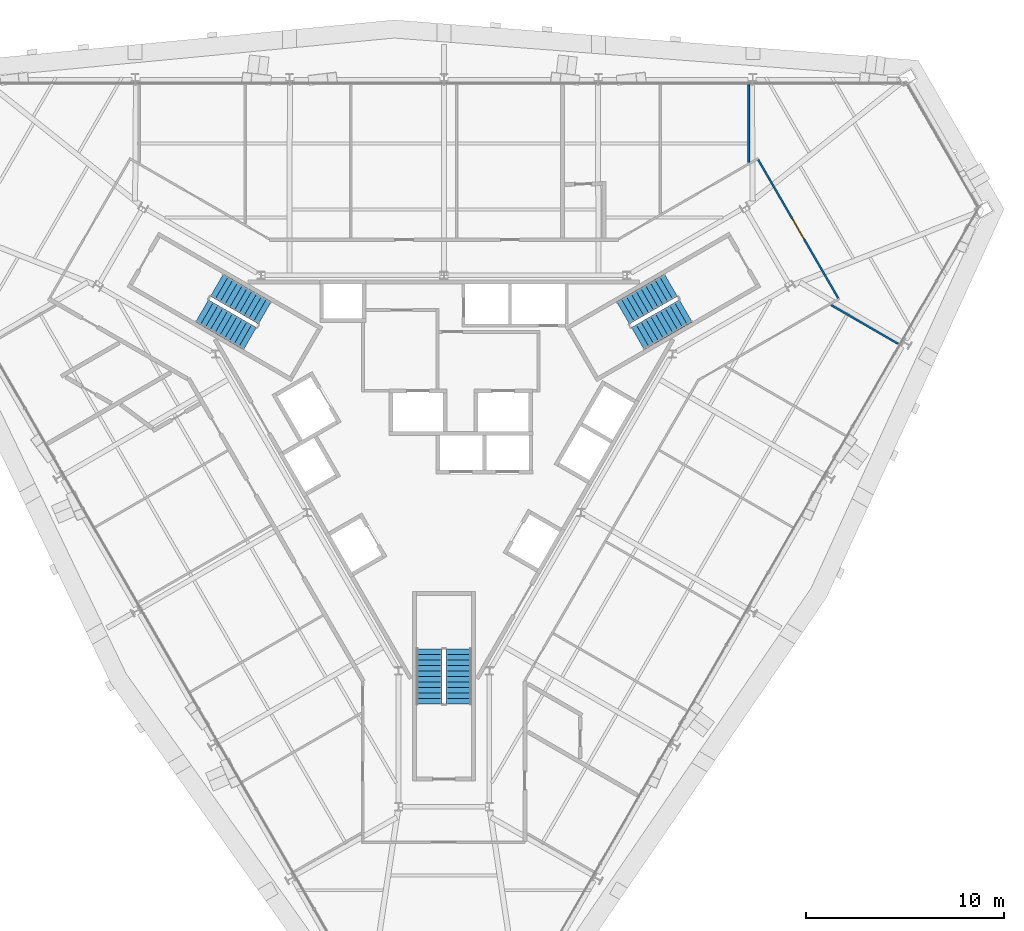
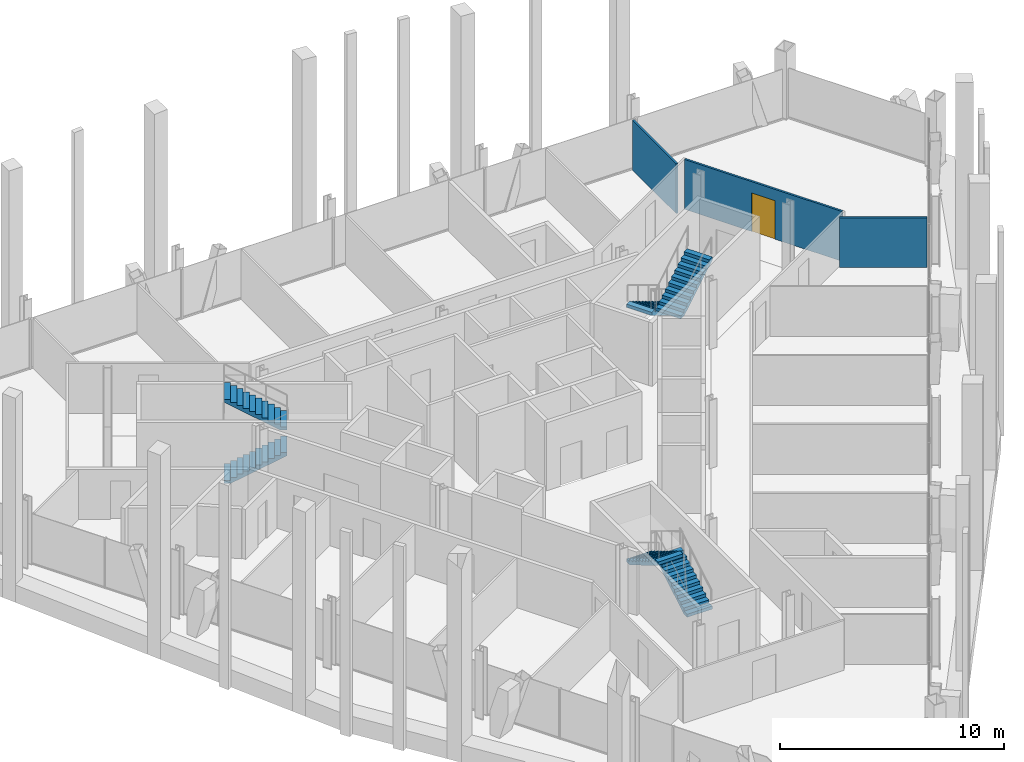
# One storey, part 15 of 17: 6 stair flights, 3 walls, 1 door, 1 opening, 3 elements without a shape of their own.
"""IFC4 building model written with IfcOpenShell, lengths in metres."""

from ifc_helpers import new_model, si_unit, direction, frame, frame_2d, origin, place, context, subcontext, project, spatial, polyline, rectangle, outline, extrude, material, layer, layer_set, type_object, element, fill, aggregate, save


model = new_model("IFC4")

# Units and contexts
model_context = context("Model", 3, precision=1e-05, world=origin(), true_north=direction((0.0, 1.0)))
body_context = subcontext(model_context, "Body", "Model", "MODEL_VIEW")
ifc_project = project(units=[si_unit("LENGTHUNIT", "METRE"), si_unit("AREAUNIT", "SQUARE_METRE"), si_unit("VOLUMEUNIT", "CUBIC_METRE"), si_unit("PLANEANGLEUNIT", "RADIAN"), si_unit("MASSUNIT", "GRAM", prefix="KILO")], contexts=[model_context])

# Site, building, storey
site_placement = place(None, origin())
site = spatial("IfcSite", under=ifc_project, at=site_placement, CompositionType="ELEMENT")
building_placement = place(site_placement, origin())
building = spatial("IfcBuilding", under=site, at=building_placement, Name="Verrane Prism Tower", CompositionType="ELEMENT")
storey_placement = place(building_placement, frame((0.0, 0.0, 178.39990234375)))
storey = spatial("IfcBuildingStorey", under=building, at=storey_placement, Name="L44", CompositionType="ELEMENT", Elevation=178.39990234375)

# Wall
ifc_material_1 = material(Name="Gypsum board partition", Category="other")
ifc_layer = layer(ifc_material_1, 0.10009765625)
ifc_layer_set = layer_set([ifc_layer], Name="PW-100 room partition")
wall_type = type_object("IfcWallType", Name="PW-100 room partition", PredefinedType="PARTITIONING", material=ifc_layer_set)
wall_1_placement = place(storey_placement, frame((15.422119140625, 13.7216796875, 0.0), z_axis=(0.0, 0.0, 1.0), x_axis=(0.0, 1.0, 0.0)))
element("IfcWall", 1, at=wall_1_placement, inside=storey, type_object=wall_type, Name="Room partition 039", PredefinedType="PARTITIONING", context=body_context, shape_type="SweptSolid", body=[
    extrude(rectangle(XDim=3.913330078125, YDim=0.10009765625, at=frame_2d((1.95654296875, 0.0))), origin(), (0.0, 0.0, 1.0), 2.713134765625),
])

# Wall, opening, door
wall_2_placement = place(storey_placement, frame((15.903076171875, 13.854736328125, 0.0), z_axis=(0.0, 0.0, 1.0), x_axis=(0.500415732313, -0.865785247537, 0.0)))
wall_2 = element("IfcWall", 2, at=wall_2_placement, inside=storey, type_object=wall_type, Name="Room partition 040", PredefinedType="PARTITIONING", context=body_context, shape_type="SweptSolid", body=[
    extrude(rectangle(XDim=8.09716796875, YDim=0.10009765625, at=frame_2d((4.048583984375, 0.0))), origin(), (0.0, 0.0, 1.0), 2.713134765625),
])
opening_placement = place(wall_2_placement, frame((3.449951171875, 0.0, 0.0)))
opening = element("IfcOpeningElement", 3, at=opening_placement, cuts=wall_2, Name="Opening D44008", PredefinedType="OPENING", context=body_context, shape_type="SweptSolid", body=[
    extrude(rectangle(XDim=1.199951171875, YDim=2.10009765625, at=frame_2d((0.60009765625, 1.050048828125))), frame((0.0, 0.06005859375, 0.0), z_axis=(0.0, -1.0, 0.0), x_axis=(1.0, 0.0, 0.0)), (0.0, 0.0, 1.0), 0.1201171875),
])
ifc_material_2 = material(Name="Timber veneered door leaf", Category="wood")
door_type = type_object("IfcDoorType", Name="DR-1200x2100 single leaf unit", OperationType="NOTDEFINED", PredefinedType="DOOR", material=ifc_material_2)
door_placement = place(opening_placement, origin())
door = element("IfcDoor", 4, at=door_placement, inside=storey, type_object=door_type, Name="Living And Dining Room door", OperationType="SINGLE_SWING_RIGHT", OverallHeight=2.10009765625, OverallWidth=1.199951171875, PredefinedType="DOOR", context=body_context, shape_type="SweptSolid", body=[
    extrude(rectangle(XDim=1.199951171875, YDim=2.10009765625, at=frame_2d((0.60009765625, 1.050048828125))), frame((0.0, 0.02490234375, 0.0), z_axis=(0.0, -1.0, 0.0), x_axis=(1.0, 0.0, 0.0)), (0.0, 0.0, 1.0), 0.050048828125),
])
fill(opening, door)

# Wall
wall_3_placement = place(storey_placement, frame((19.595947265625, 6.49365234375, 0.0), z_axis=(0.0, 0.0, 1.0), x_axis=(0.865998449813, -0.500046682742, 0.0)))
element("IfcWall", 5, at=wall_3_placement, inside=storey, type_object=wall_type, Name="Room partition 041", PredefinedType="PARTITIONING", context=body_context, shape_type="SweptSolid", body=[
    extrude(rectangle(XDim=3.910888671875, YDim=0.10009765625, at=frame_2d((1.95556640625, 0.0))), origin(), (0.0, 0.0, 1.0), 2.713134765625),
])

# Stair, stair flights
ifc_material_3 = material(Name="Concrete C40/50", Category="concrete")
stair_type = type_object("IfcStairType", Name="Exit stair 1300 dog-leg precast concrete C40/50", PredefinedType="HALF_TURN_STAIR", material=ifc_material_3)
stair_1_placement = place(storey_placement, origin())
stair_1 = element("IfcStair", 6, at=stair_1_placement, inside=storey, type_object=stair_type, Name="Stair 1 L44", PredefinedType="HALF_TURN_STAIR")
ifc_material_4 = material(Name="Concrete C40/50", Category="concrete")
stair_flight_type = type_object("IfcStairFlightType", Name="Stair flight 1300 precast concrete C40/50", PredefinedType="STRAIGHT", material=ifc_material_4)
stair_flight_1_placement = place(storey_placement, frame((11.489501953125, 7.49951171875, 0.0), z_axis=(0.0, 0.0, 1.0), x_axis=(-0.866025403784, -0.5, 0.0)))
stair_flight_1 = element("IfcStairFlight", 7, at=stair_flight_1_placement, type_object=stair_flight_type, Name="Stair 1 flight 1", NumberOfRisers=11, NumberOfTreads=10, PredefinedType="STRAIGHT", RiserHeight=0.168181818, TreadLength=0.28, context=body_context, shape_type="SweptSolid", body=[
    extrude(outline(polyline([(0.0, 0.0), (0.0, 0.168212890625), (0.280029296875, 0.168212890625), (0.280029296875, 0.33642578125), (0.56005859375, 0.33642578125), (0.56005859375, 0.504638671875), (0.840087890625, 0.504638671875), (0.840087890625, 0.672607421875), (1.1201171875, 0.672607421875), (1.1201171875, 0.8408203125), (1.39990234375, 0.8408203125), (1.39990234375, 1.009033203125), (1.679931640625, 1.009033203125), (1.679931640625, 1.17724609375), (1.9599609375, 1.17724609375), (1.9599609375, 1.345458984375), (2.239990234375, 1.345458984375), (2.239990234375, 1.513671875), (2.52001953125, 1.513671875), (2.52001953125, 1.681884765625), (2.800048828125, 1.681884765625), (2.800048828125, 1.85009765625), (2.800048828125, 1.5068359375), (0.291015625, 0.0), (0.0, 0.0)])), frame((0.0, 0.64990234375, 0.0), z_axis=(0.0, -1.0, 0.0), x_axis=(1.0, 0.0, 0.0)), (0.0, 0.0, 1.0), 1.300048828125),
])
stair_flight_2_placement = place(storey_placement, frame((9.814697265625, 4.800537109375, 1.85009765625), z_axis=(0.0, 0.0, 1.0), x_axis=(0.866025403784, 0.5, 0.0)))
stair_flight_2 = element("IfcStairFlight", 8, at=stair_flight_2_placement, type_object=stair_flight_type, Name="Stair 1 flight 2", NumberOfRisers=11, NumberOfTreads=10, PredefinedType="STRAIGHT", RiserHeight=0.168181818, TreadLength=0.28, context=body_context, shape_type="SweptSolid", body=[
    extrude(outline(polyline([(0.0, 0.0), (0.0, 0.168212890625), (0.280029296875, 0.168212890625), (0.280029296875, 0.33642578125), (0.56005859375, 0.33642578125), (0.56005859375, 0.504638671875), (0.840087890625, 0.504638671875), (0.840087890625, 0.672607421875), (1.1201171875, 0.672607421875), (1.1201171875, 0.8408203125), (1.39990234375, 0.8408203125), (1.39990234375, 1.009033203125), (1.679931640625, 1.009033203125), (1.679931640625, 1.17724609375), (1.9599609375, 1.17724609375), (1.9599609375, 1.345458984375), (2.239990234375, 1.345458984375), (2.239990234375, 1.513671875), (2.52001953125, 1.513671875), (2.52001953125, 1.681884765625), (2.800048828125, 1.681884765625), (2.800048828125, 1.85009765625), (2.800048828125, 1.5068359375), (0.291015625, 0.0), (0.0, 0.0)])), frame((0.0, 0.64990234375, 0.0), z_axis=(0.0, -1.0, 0.0), x_axis=(1.0, 0.0, 0.0)), (0.0, 0.0, 1.0), 1.300048828125),
])
aggregate(stair_1, [stair_flight_1, stair_flight_2])

stair_2_placement = place(storey_placement, origin())
stair_2 = element("IfcStair", 9, at=stair_2_placement, inside=storey, type_object=stair_type, Name="Stair 2 L44", PredefinedType="HALF_TURN_STAIR")
stair_flight_3_placement = place(storey_placement, frame((-12.239501953125, 6.200439453125, 0.0), z_axis=(0.0, 0.0, 1.0), x_axis=(0.866025403784, -0.5, 0.0)))
stair_flight_3 = element("IfcStairFlight", 10, at=stair_flight_3_placement, type_object=stair_flight_type, Name="Stair 2 flight 1", NumberOfRisers=11, NumberOfTreads=10, PredefinedType="STRAIGHT", RiserHeight=0.168181818, TreadLength=0.28, context=body_context, shape_type="SweptSolid", body=[
    extrude(outline(polyline([(0.0, 0.0), (0.0, 0.168212890625), (0.280029296875, 0.168212890625), (0.280029296875, 0.33642578125), (0.56005859375, 0.33642578125), (0.56005859375, 0.504638671875), (0.840087890625, 0.504638671875), (0.840087890625, 0.672607421875), (1.1201171875, 0.672607421875), (1.1201171875, 0.8408203125), (1.39990234375, 0.8408203125), (1.39990234375, 1.009033203125), (1.679931640625, 1.009033203125), (1.679931640625, 1.17724609375), (1.9599609375, 1.17724609375), (1.9599609375, 1.345458984375), (2.239990234375, 1.345458984375), (2.239990234375, 1.513671875), (2.52001953125, 1.513671875), (2.52001953125, 1.681884765625), (2.800048828125, 1.681884765625), (2.800048828125, 1.85009765625), (2.800048828125, 1.5068359375), (0.291015625, 0.0), (0.0, 0.0)])), frame((0.0, 0.64990234375, 0.0), z_axis=(0.0, -1.0, 0.0), x_axis=(1.0, 0.0, 0.0)), (0.0, 0.0, 1.0), 1.300048828125),
])
stair_flight_4_placement = place(storey_placement, frame((-9.064697265625, 6.099609375, 1.85009765625), z_axis=(0.0, 0.0, 1.0), x_axis=(-0.866025403784, 0.5, 0.0)))
stair_flight_4 = element("IfcStairFlight", 11, at=stair_flight_4_placement, type_object=stair_flight_type, Name="Stair 2 flight 2", NumberOfRisers=11, NumberOfTreads=10, PredefinedType="STRAIGHT", RiserHeight=0.168181818, TreadLength=0.28, context=body_context, shape_type="SweptSolid", body=[
    extrude(outline(polyline([(0.0, 0.0), (0.0, 0.168212890625), (0.280029296875, 0.168212890625), (0.280029296875, 0.33642578125), (0.56005859375, 0.33642578125), (0.56005859375, 0.504638671875), (0.840087890625, 0.504638671875), (0.840087890625, 0.672607421875), (1.1201171875, 0.672607421875), (1.1201171875, 0.8408203125), (1.39990234375, 0.8408203125), (1.39990234375, 1.009033203125), (1.679931640625, 1.009033203125), (1.679931640625, 1.17724609375), (1.9599609375, 1.17724609375), (1.9599609375, 1.345458984375), (2.239990234375, 1.345458984375), (2.239990234375, 1.513671875), (2.52001953125, 1.513671875), (2.52001953125, 1.681884765625), (2.800048828125, 1.681884765625), (2.800048828125, 1.85009765625), (2.800048828125, 1.5068359375), (0.291015625, 0.0), (0.0, 0.0)])), frame((0.0, 0.64990234375, 0.0), z_axis=(0.0, -1.0, 0.0), x_axis=(1.0, 0.0, 0.0)), (0.0, 0.0, 1.0), 1.300048828125),
])
aggregate(stair_2, [stair_flight_3, stair_flight_4])

stair_3_placement = place(storey_placement, origin())
stair_3 = element("IfcStair", 12, at=stair_3_placement, inside=storey, type_object=stair_type, Name="Stair 3 L44", PredefinedType="HALF_TURN_STAIR")
stair_flight_5_placement = place(storey_placement, frame((0.75, -13.699951171875, 0.0), z_axis=(0.0, 0.0, 1.0), x_axis=(0.0, 1.0, 0.0)))
stair_flight_5 = element("IfcStairFlight", 13, at=stair_flight_5_placement, type_object=stair_flight_type, Name="Stair 3 flight 1", NumberOfRisers=11, NumberOfTreads=10, PredefinedType="STRAIGHT", RiserHeight=0.168181818, TreadLength=0.28, context=body_context, shape_type="SweptSolid", body=[
    extrude(outline(polyline([(0.0, 0.0), (0.0, 0.168212890625), (0.280029296875, 0.168212890625), (0.280029296875, 0.33642578125), (0.56005859375, 0.33642578125), (0.56005859375, 0.504638671875), (0.840087890625, 0.504638671875), (0.840087890625, 0.672607421875), (1.1201171875, 0.672607421875), (1.1201171875, 0.8408203125), (1.39990234375, 0.8408203125), (1.39990234375, 1.009033203125), (1.679931640625, 1.009033203125), (1.679931640625, 1.17724609375), (1.9599609375, 1.17724609375), (1.9599609375, 1.345458984375), (2.239990234375, 1.345458984375), (2.239990234375, 1.513671875), (2.52001953125, 1.513671875), (2.52001953125, 1.681884765625), (2.800048828125, 1.681884765625), (2.800048828125, 1.85009765625), (2.800048828125, 1.5068359375), (0.291015625, 0.0), (0.0, 0.0)])), frame((0.0, 0.64990234375, 0.0), z_axis=(0.0, -1.0, 0.0), x_axis=(1.0, 0.0, 0.0)), (0.0, 0.0, 1.0), 1.300048828125),
])
stair_flight_6_placement = place(storey_placement, frame((-0.75, -10.89990234375, 1.85009765625), z_axis=(0.0, 0.0, 1.0), x_axis=(0.0, -1.0, 0.0)))
stair_flight_6 = element("IfcStairFlight", 14, at=stair_flight_6_placement, type_object=stair_flight_type, Name="Stair 3 flight 2", NumberOfRisers=11, NumberOfTreads=10, PredefinedType="STRAIGHT", RiserHeight=0.168181818, TreadLength=0.28, context=body_context, shape_type="SweptSolid", body=[
    extrude(outline(polyline([(0.0, 0.0), (0.0, 0.168212890625), (0.280029296875, 0.168212890625), (0.280029296875, 0.33642578125), (0.56005859375, 0.33642578125), (0.56005859375, 0.504638671875), (0.840087890625, 0.504638671875), (0.840087890625, 0.672607421875), (1.1201171875, 0.672607421875), (1.1201171875, 0.8408203125), (1.39990234375, 0.8408203125), (1.39990234375, 1.009033203125), (1.679931640625, 1.009033203125), (1.679931640625, 1.17724609375), (1.9599609375, 1.17724609375), (1.9599609375, 1.345458984375), (2.239990234375, 1.345458984375), (2.239990234375, 1.513671875), (2.52001953125, 1.513671875), (2.52001953125, 1.681884765625), (2.800048828125, 1.681884765625), (2.800048828125, 1.85009765625), (2.800048828125, 1.5068359375), (0.291015625, 0.0), (0.0, 0.0)])), frame((0.0, 0.64990234375, 0.0), z_axis=(0.0, -1.0, 0.0), x_axis=(1.0, 0.0, 0.0)), (0.0, 0.0, 1.0), 1.300048828125),
])
aggregate(stair_3, [stair_flight_5, stair_flight_6])

save(model, "model.ifc")
